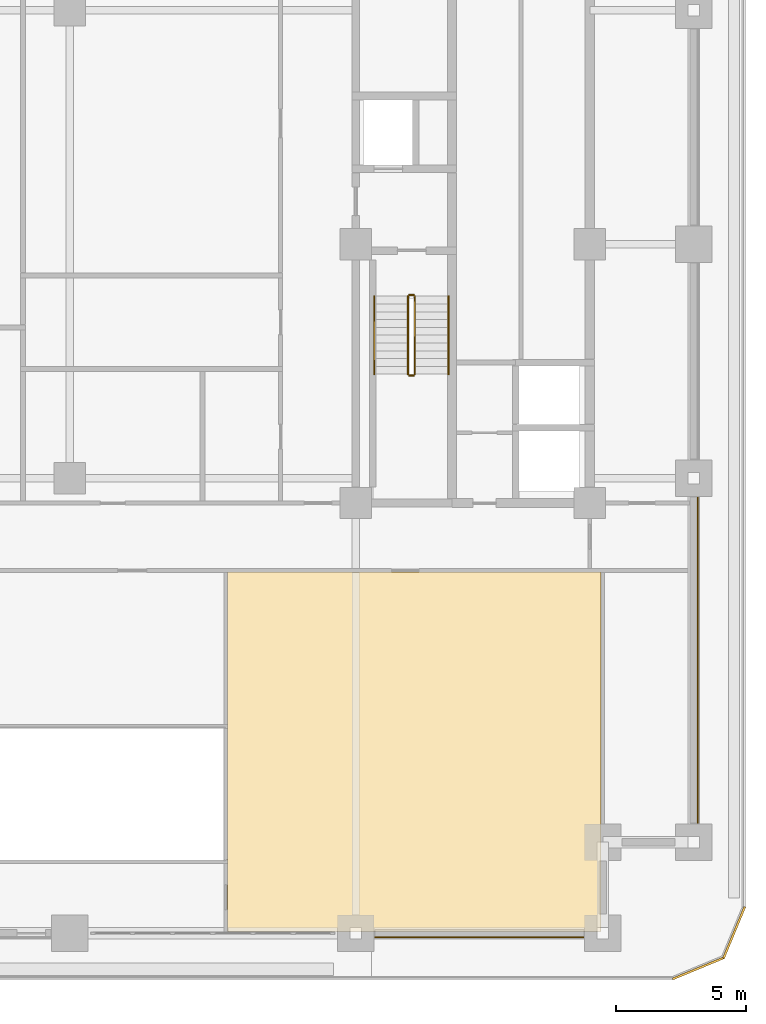
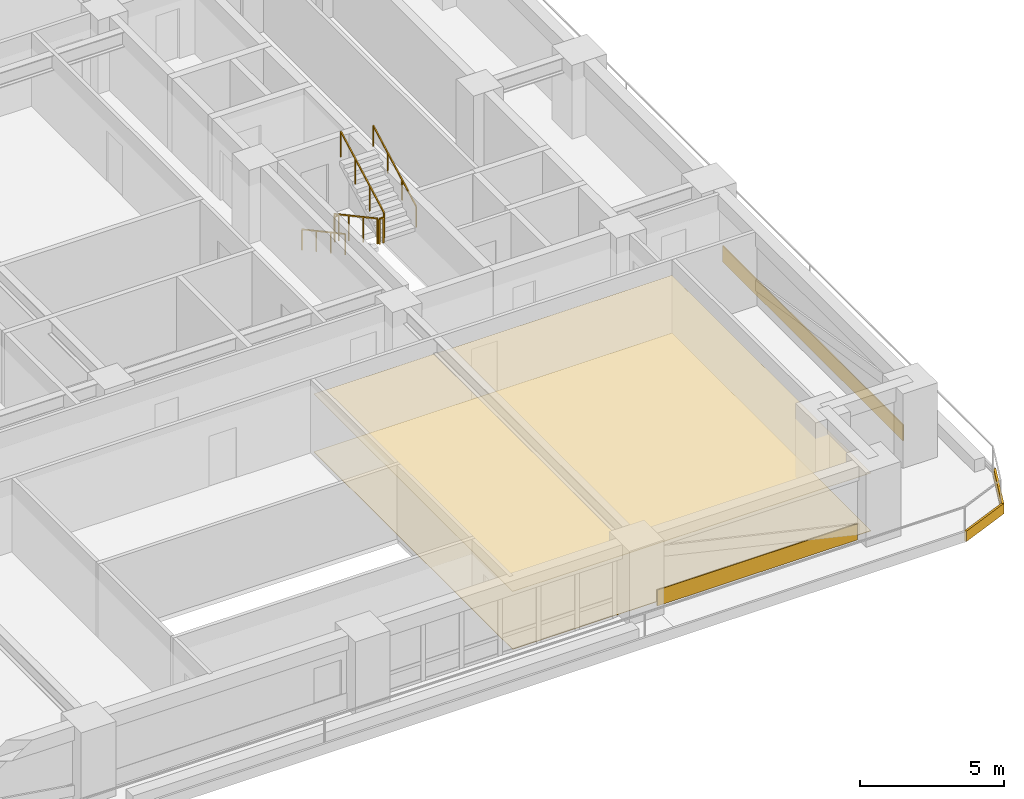
# One storey, part 17 of 18: 6 coverings, 6 railings.
"""IFC4 building model written with IfcOpenShell, lengths in metres."""

import ifcopenshell
import ifcopenshell.guid

model = None  # the IFC model being written
_history = None  # IfcOwnerHistory: only IFC2X3 demands one
_inside = {}  # id of a spatial element -> (the spatial element, [elements in it])
_under = {}  # id of a project, library or spatial element -> (it, [spatial elements below it])
_declared = {}  # id of a project -> (the project, [libraries it declares])
_typed = {}  # id of a type object -> (the type object, [elements of that type])
_made_of = {}  # id of a material, layer set ... -> (it, [elements and type objects made of it])


def new_model(schema):
    """Start an empty IFC model of exactly this schema.

    Asked for "IFC4X3", IfcOpenShell would pick the latest addendum, in which some entities
    have other attributes; the version numbers below select the first issue.
    IFC2X3 requires an IfcOwnerHistory on every rooted entity: one is made here for all.
    """
    global model, _history
    if schema == "IFC4X3":
        model = ifcopenshell.file(schema_version=(4, 3, 0, 0))
    else:
        model = ifcopenshell.file(schema=schema)
    _inside.clear()
    _under.clear()
    _declared.clear()
    _typed.clear()
    _made_of.clear()
    _history = None
    if model.schema == "IFC2X3":
        org = make("IfcOrganization", Name="unknown")
        user = make(
            "IfcPersonAndOrganization",
            ThePerson=make("IfcPerson", FamilyName="unknown"),
            TheOrganization=org,
        )
        app = make(
            "IfcApplication",
            ApplicationDeveloper=org,
            Version="unknown",
            ApplicationFullName="unknown",
            ApplicationIdentifier="unknown",
        )
        _history = make(
            "IfcOwnerHistory",
            OwningUser=user,
            OwningApplication=app,
            ChangeAction="ADDED",
            CreationDate=0,
        )
    return model


def make(cls, **values):
    """One entity of the class cls with the attributes given. An attribute that is None is left unset."""
    return model.create_entity(
        cls, **{name: value for name, value in values.items() if value is not None}
    )


def rooted(cls, **values):
    """An entity with a GlobalId (a new one), such as an element, a storey or a relation."""
    return make(cls, GlobalId=ifcopenshell.guid.new(), OwnerHistory=_history, **values)


def si_unit(unit_type, name, prefix=None):
    """IfcSIUnit, for example si_unit("LENGTHUNIT", "METRE", prefix="MILLI")."""
    return make("IfcSIUnit", UnitType=unit_type, Prefix=prefix, Name=name)


def assignment(units):
    """IfcUnitAssignment: the units of a project."""
    return None if units is None else make("IfcUnitAssignment", Units=units)


def point(xyz):
    """IfcCartesianPoint."""
    return None if xyz is None else make("IfcCartesianPoint", Coordinates=xyz)


def direction(xyz):
    """IfcDirection."""
    return None if xyz is None else make("IfcDirection", DirectionRatios=xyz)


def frame(location, z_axis=None, x_axis=None):
    """IfcAxis2Placement3D, a coordinate frame: its origin and axes. An axis left out is left unset."""
    return make(
        "IfcAxis2Placement3D",
        Location=point(location),
        Axis=direction(z_axis),
        RefDirection=direction(x_axis),
    )


def frame_2d(location, x_axis=None):
    """IfcAxis2Placement2D, a coordinate frame in the plane: its origin and x axis."""
    return make(
        "IfcAxis2Placement2D", Location=point(location), RefDirection=direction(x_axis)
    )


def origin():
    """The frame at (0, 0, 0) with its axes left unset."""
    return frame((0.0, 0.0, 0.0))


def origin_2d():
    """The frame at (0, 0) in the plane with its x axis left unset."""
    return frame_2d((0.0, 0.0))


def place(relative_to, where):
    """IfcLocalPlacement: puts the frame where relative to a parent placement (None: the world)."""
    return make(
        "IfcLocalPlacement", PlacementRelTo=relative_to, RelativePlacement=where
    )


def context(
    kind, dimensions, precision=None, world=None, true_north=None, identifier=None
):
    """IfcGeometricRepresentationContext, for example the 3D "Model" context."""
    return make(
        "IfcGeometricRepresentationContext",
        ContextIdentifier=identifier,
        ContextType=kind,
        CoordinateSpaceDimension=dimensions,
        Precision=precision,
        WorldCoordinateSystem=world,
        TrueNorth=true_north,
    )


def subcontext(parent, identifier, kind, view, scale=None):
    """IfcGeometricRepresentationSubContext, for example "Body" below "Model"."""
    return make(
        "IfcGeometricRepresentationSubContext",
        ContextIdentifier=identifier,
        ContextType=kind,
        ParentContext=parent,
        TargetScale=scale,
        TargetView=view,
    )


def project(units=None, contexts=None):
    """IfcProject with its units and contexts."""
    return rooted(
        "IfcProject",
        Name="project",
        RepresentationContexts=contexts,
        UnitsInContext=assignment(units),
    )


def spatial(cls, under=None, at=None, **own):
    """A site, building, storey or space (cls), placed at a placement, below another one or the project."""
    s = rooted(cls, ObjectPlacement=at, **own)
    if under is not None:
        _under.setdefault(under.id(), (under, []))[1].append(s)
    return s


def polyline(points):
    """IfcPolyline through the points."""
    return make("IfcPolyline", Points=[point(p) for p in points])


def profile(cls, at=None, kind="AREA", **sizes):
    """A parametric profile (cls). Its sizes go by their IFC names, for example OverallWidth=200.0."""
    return make(cls, ProfileType=kind, Position=at, **sizes)


def rectangle(**sizes):
    """IfcRectangleProfileDef."""
    return profile("IfcRectangleProfileDef", **sizes)


def outline(outer, holes=None, kind="AREA"):
    """IfcArbitraryClosedProfileDef: a profile drawn as a closed curve; with holes, ...WithVoids."""
    if holes is None:
        return make("IfcArbitraryClosedProfileDef", ProfileType=kind, OuterCurve=outer)
    return make(
        "IfcArbitraryProfileDefWithVoids",
        ProfileType=kind,
        OuterCurve=outer,
        InnerCurves=holes,
    )


def extrude(swept, where, along, depth):
    """IfcExtrudedAreaSolid: the profile swept, set in the frame where, extruded along a direction by depth."""
    return make(
        "IfcExtrudedAreaSolid",
        SweptArea=swept,
        Position=where,
        ExtrudedDirection=direction(along),
        Depth=depth,
    )


def shape(context_of_items, identifier, shape_type, items):
    """IfcShapeRepresentation: the items that make up one representation, for example the "Body"."""
    return make(
        "IfcShapeRepresentation",
        ContextOfItems=context_of_items,
        RepresentationIdentifier=identifier,
        RepresentationType=shape_type,
        Items=items,
    )


def material(Name=None, Category=None):
    """IfcMaterial."""
    return make("IfcMaterial", Name=Name, Category=Category)


def layer(
    of_material, thickness, ventilated=None, Name=None, Category=None, Priority=None
):
    """IfcMaterialLayer: one layer of a wall or slab, of a material (None: an air gap)."""
    return make(
        "IfcMaterialLayer",
        Material=of_material,
        LayerThickness=thickness,
        IsVentilated=ventilated,
        Name=Name,
        Category=Category,
        Priority=Priority,
    )


def layer_set(layers, Name=None):
    """IfcMaterialLayerSet."""
    return make("IfcMaterialLayerSet", MaterialLayers=layers, LayerSetName=Name)


def made_of(thing, what):
    """Note that an element or type object is made of a material, layer set ...; save() writes the relation."""
    if what is not None:
        _made_of.setdefault(what.id(), (what, []))[1].append(thing)
    return thing


def type_object(cls, material=None, **own):
    """A type object (cls), such as IfcWallType, which elements share."""
    return made_of(rooted(cls, **own), material)


def element(
    cls,
    number,
    at=None,
    inside=None,
    cuts=None,
    type_object=None,
    material=None,
    context=None,
    identifier="Body",
    shape_type=None,
    held_by="IfcProductDefinitionShape",
    body=None,
    shapes=None,
    **own,
):
    """One element of the class cls, such as IfcWall. Its Tag is "e" and its number.

    at: its placement. inside: the storey or other place that contains it. cuts: it is an
    opening in that element (IfcRelVoidsElement). A single representation is given by context,
    identifier, shape_type and body (its items); several are given by shapes. held_by: the class
    of the entity that holds the representations. save() writes the other relations.
    """
    e = rooted(cls, Tag="e%d" % number, ObjectPlacement=at, **own)
    if body is not None:
        shapes = [shape(context, identifier, shape_type, body)]
    if shapes is not None:
        e.Representation = make(held_by, Representations=shapes)
    if inside is not None:
        _inside.setdefault(inside.id(), (inside, []))[1].append(e)
    if cuts is not None:
        rooted(
            "IfcRelVoidsElement", RelatingBuildingElement=cuts, RelatedOpeningElement=e
        )
    if type_object is not None:
        _typed.setdefault(type_object.id(), (type_object, []))[1].append(e)
    return made_of(e, material)


def aggregate(whole, parts):
    """IfcRelAggregates: a whole, such as a stair, and the parts it consists of."""
    return rooted("IfcRelAggregates", RelatingObject=whole, RelatedObjects=parts)


def save(model, path):
    """Write the relations noted so far, then the file.

    IfcRelAggregates (storeys below a building ...), IfcRelContainedInSpatialStructure (elements
    in a storey), IfcRelDefinesByType, IfcRelAssociatesMaterial and IfcRelDeclares: one each for
    every whole, place, type object, material and project.
    """
    for whole, parts in _under.values():
        aggregate(whole, parts)
    for where, things in _inside.values():
        rooted(
            "IfcRelContainedInSpatialStructure",
            RelatedElements=things,
            RelatingStructure=where,
        )
    for kind, things in _typed.values():
        rooted("IfcRelDefinesByType", RelatedObjects=things, RelatingType=kind)
    for what, things in _made_of.values():
        rooted("IfcRelAssociatesMaterial", RelatedObjects=things, RelatingMaterial=what)
    for by, libraries in _declared.values():
        rooted("IfcRelDeclares", RelatingContext=by, RelatedDefinitions=libraries)
    model.write(path)


model = new_model("IFC4")

# Units and contexts
model_context = context("Model", 3, precision=1e-05, world=origin(), true_north=direction((0.0, 1.0)))
body_context = subcontext(model_context, "Body", "Model", "MODEL_VIEW")
ifc_project = project(units=[si_unit("LENGTHUNIT", "METRE"), si_unit("AREAUNIT", "SQUARE_METRE"), si_unit("VOLUMEUNIT", "CUBIC_METRE"), si_unit("PLANEANGLEUNIT", "RADIAN"), si_unit("MASSUNIT", "GRAM", prefix="KILO")], contexts=[model_context])

# Site, building, storey
site_placement = place(None, origin())
site = spatial("IfcSite", under=ifc_project, at=site_placement, CompositionType="ELEMENT")
building_placement = place(site_placement, origin())
building = spatial("IfcBuilding", under=site, at=building_placement, Name="Zulmaris Gate Convention Tower", CompositionType="ELEMENT")
storey_placement = place(building_placement, frame((0.0, 0.0, 78.60986328125)))
storey = spatial("IfcBuildingStorey", under=building, at=storey_placement, Name="L19", CompositionType="ELEMENT", Elevation=78.60986328125)

# Coverings
ifc_material_1 = material(Name="Precast concrete C40/50", Category="concrete")
ifc_layer_1 = layer(ifc_material_1, 0.0400390625, Name="Precast concrete C40/50")
ifc_layer_set_1 = layer_set([ifc_layer_1], Name="Precast concrete C40/50")
covering_type_1 = type_object("IfcCoveringType", Name="CLAD-SPANDREL-PRECAST", PredefinedType="CLADDING", material=ifc_layer_set_1)
covering_1_placement = place(storey_placement, frame((11.72998046875, -26.64990234375, 0.0), z_axis=(0.0, 0.0, 1.0), x_axis=(1.0, 0.0, 0.0)))
element("IfcCovering", 1, at=covering_1_placement, inside=storey, type_object=covering_type_1, Name="CLD-L19-S-3_0", PredefinedType="CLADDING", context=body_context, shape_type="SweptSolid", body=[
    extrude(rectangle(XDim=8.0400390625, YDim=0.0400390625, at=frame_2d((4.02001953125, 0.0))), origin(), (0.0, 0.0, 1.0), 0.679931640625),
])
covering_2_placement = place(storey_placement, frame((24.14990234375, -22.27001953125, 0.0), z_axis=(0.0, 0.0, 1.0), x_axis=(0.0, 1.0, 0.0)))
element("IfcCovering", 2, at=covering_2_placement, inside=storey, type_object=covering_type_1, Name="CLD-L19-E-0_0", PredefinedType="CLADDING", context=body_context, shape_type="SweptSolid", body=[
    extrude(rectangle(XDim=12.5400390625, YDim=0.0400390625, at=frame_2d((6.27001953125, 0.0))), origin(), (0.0, 0.0, 1.0), 0.679931640625),
])
ifc_material_2 = material(Name="White Glazed Architectural Precast Concrete C40/50", Category="concrete")
ifc_layer_2 = layer(ifc_material_2, 0.080078125, Name="White Glazed Architectural Precast Concrete C40/50")
ifc_layer_set_2 = layer_set([ifc_layer_2], Name="White Glazed Architectural Precast Concrete C40/50")
covering_type_2 = type_object("IfcCoveringType", Name="CLAD-TRAY-FASCIA", PredefinedType="CLADDING", material=ifc_layer_set_2)
covering_3_placement = place(storey_placement, frame((23.184814453125, -28.262939453125, -0.2900390625), z_axis=(0.0, 0.0, 1.0), x_axis=(0.923873803533, 0.382697263049, 0.0)))
element("IfcCovering", 3, at=covering_3_placement, inside=storey, type_object=covering_type_2, Name="FSC-L19-TR-03", PredefinedType="CLADDING", context=body_context, shape_type="SweptSolid", body=[
    extrude(rectangle(XDim=2.142822265625, YDim=0.080078125, at=frame_2d((1.0712890625, 0.0))), origin(), (0.0, 0.0, 1.0), 0.440185546875),
])
covering_4_placement = place(storey_placement, frame((25.142822265625, -27.464599609375, -0.2900390625), z_axis=(0.0, 0.0, 1.0), x_axis=(0.382656984709, 0.923890487046, 0.0)))
element("IfcCovering", 4, at=covering_4_placement, inside=storey, type_object=covering_type_2, Name="FSC-L19-TR-04", PredefinedType="CLADDING", context=body_context, shape_type="SweptSolid", body=[
    extrude(rectangle(XDim=2.14306640625, YDim=0.080078125, at=frame_2d((1.071533203125, 0.0))), origin(), (0.0, 0.0, 1.0), 0.440185546875),
])
ifc_material_3 = material(Name="Mineral Fibre Acoustic Ceiling Tile")
ifc_layer_3 = layer(ifc_material_3, 0.02001953125, Name="Mineral Fibre Acoustic Ceiling Tile")
ifc_layer_set_3 = layer_set([ifc_layer_3], Name="Mineral Fibre Acoustic Ceiling Tile")
covering_type_3 = type_object("IfcCoveringType", Name="CLG-ACOUSTIC-600", PredefinedType="CEILING", material=ifc_layer_set_3)
covering_5_placement = place(storey_placement, frame((0.0, 0.0, 2.453125)))
element("IfcCovering", 5, at=covering_5_placement, inside=storey, type_object=covering_type_3, Name="CLG-L19-R38", PredefinedType="CEILING", context=body_context, shape_type="SweptSolid", body=[
    extrude(outline(polyline([(6.06005859375, -26.43994140625), (20.43994140625, -26.43994140625), (20.43994140625, -12.610107421875), (6.06005859375, -12.610107421875), (6.06005859375, -26.43994140625)])), origin(), (0.0, 0.0, 1.0), 0.02001953125),
])
ifc_material_4 = material(Name="Woven Acoustic Wool Carpet Tile")
ifc_layer_4 = layer(ifc_material_4, 0.02001953125, Name="Woven Acoustic Wool Carpet Tile")
ifc_layer_set_4 = layer_set([ifc_layer_4], Name="Woven Acoustic Wool Carpet Tile")
covering_type_4 = type_object("IfcCoveringType", Name="FLR-CARPET-12", PredefinedType="FLOORING", material=ifc_layer_set_4)
covering_6_placement = place(storey_placement, origin())
element("IfcCovering", 6, at=covering_6_placement, inside=storey, type_object=covering_type_4, Name="FLR-L19-R38", PredefinedType="FLOORING", context=body_context, shape_type="SweptSolid", body=[
    extrude(outline(polyline([(6.06005859375, -26.43994140625), (20.43994140625, -26.43994140625), (20.43994140625, -12.610107421875), (6.06005859375, -12.610107421875), (6.06005859375, -26.43994140625)])), origin(), (0.0, 0.0, 1.0), 0.02001953125),
])

# Railings
ifc_material_5 = material(Name="Painted Galvanised Steel", Category="steel")
railing_type_1 = type_object("IfcRailingType", Name="RL-STG-1150", PredefinedType="GUARDRAIL", material=ifc_material_5)
railing_1_placement = place(storey_placement, frame((13.010009765625, -2.0, 0.162353515625)))
element("IfcRailing", 7, at=railing_1_placement, inside=storey, type_object=railing_type_1, Name="L19 ST-2 stair guard 1", PredefinedType="GUARDRAIL", context=body_context, shape_type="SweptSolid", body=[
    extrude(rectangle(XDim=0.048095703125, YDim=0.048095703125, at=origin_2d()), frame((0.0, 0.0, 1.076171875), z_axis=(0.0, -0.8795616155, 0.475784998228), x_axis=(1.0, 0.0, 0.0)), (0.0, 0.0, 1.0), 3.410888671875),
    extrude(rectangle(XDim=0.0419921875, YDim=0.0419921875, at=origin_2d()), origin(), (0.0, 0.0, 1.0), 1.052001953125),
    extrude(rectangle(XDim=0.0419921875, YDim=0.0419921875, at=origin_2d()), frame((0.0, -1.0, 0.541015625)), (0.0, 0.0, 1.0), 1.052001953125),
    extrude(rectangle(XDim=0.0419921875, YDim=0.0419921875, at=origin_2d()), frame((0.0, -2.0, 1.081787109375)), (0.0, 0.0, 1.0), 1.052001953125),
    extrude(rectangle(XDim=0.0419921875, YDim=0.0419921875, at=origin_2d()), frame((0.0, -3.0, 1.622802734375)), (0.0, 0.0, 1.0), 1.052001953125),
])
railing_2_placement = place(storey_placement, frame((13.06005859375, -5.050048828125, 1.78515625)))
element("IfcRailing", 8, at=railing_2_placement, inside=storey, type_object=railing_type_1, Name="L19 ST-2 stair guard 2", PredefinedType="GUARDRAIL", context=body_context, shape_type="SweptSolid", body=[
    extrude(rectangle(XDim=0.048095703125, YDim=0.048095703125, at=origin_2d()), frame((0.0, 0.0, 1.076171875), z_axis=(1.0, 0.0, 0.0), x_axis=(0.0, 1.0, 0.0)), (0.0, 0.0, 1.0), 0.159912109375),
    extrude(rectangle(XDim=0.0419921875, YDim=0.0419921875, at=origin_2d()), origin(), (0.0, 0.0, 1.0), 1.052001953125),
    extrude(rectangle(XDim=0.0419921875, YDim=0.0419921875, at=origin_2d()), frame((0.159912109375, 0.0, 0.0)), (0.0, 0.0, 1.0), 1.052001953125),
])
railing_3_placement = place(storey_placement, frame((13.27001953125, -5.0, 1.947265625)))
element("IfcRailing", 9, at=railing_3_placement, inside=storey, type_object=railing_type_1, Name="L19 ST-2 stair guard 3", PredefinedType="GUARDRAIL", context=body_context, shape_type="SweptSolid", body=[
    extrude(rectangle(XDim=0.048095703125, YDim=0.048095703125, at=origin_2d()), frame((0.0, 0.0, 1.076171875), z_axis=(0.0, 0.8795616155, 0.475784998228), x_axis=(-1.0, 0.0, 0.0)), (0.0, 0.0, 1.0), 3.410888671875),
    extrude(rectangle(XDim=0.0419921875, YDim=0.0419921875, at=origin_2d()), origin(), (0.0, 0.0, 1.0), 1.052001953125),
    extrude(rectangle(XDim=0.0419921875, YDim=0.0419921875, at=origin_2d()), frame((0.0, 1.0, 0.541015625)), (0.0, 0.0, 1.0), 1.052001953125),
    extrude(rectangle(XDim=0.0419921875, YDim=0.0419921875, at=origin_2d()), frame((0.0, 2.0, 1.081787109375)), (0.0, 0.0, 1.0), 1.052001953125),
    extrude(rectangle(XDim=0.0419921875, YDim=0.0419921875, at=origin_2d()), frame((0.0, 3.0, 1.622802734375)), (0.0, 0.0, 1.0), 1.052001953125),
])
railing_4_placement = place(storey_placement, frame((13.06005859375, -1.949951171875, 0.0)))
element("IfcRailing", 10, at=railing_4_placement, inside=storey, type_object=railing_type_1, Name="L19 ST-2 stair guard 4", PredefinedType="GUARDRAIL", context=body_context, shape_type="SweptSolid", body=[
    extrude(rectangle(XDim=0.048095703125, YDim=0.048095703125, at=origin_2d()), frame((0.0, 0.0, 1.076171875), z_axis=(1.0, 0.0, 0.0), x_axis=(0.0, 1.0, 0.0)), (0.0, 0.0, 1.0), 0.159912109375),
    extrude(rectangle(XDim=0.0419921875, YDim=0.0419921875, at=origin_2d()), origin(), (0.0, 0.0, 1.0), 1.052001953125),
    extrude(rectangle(XDim=0.0419921875, YDim=0.0419921875, at=origin_2d()), frame((0.159912109375, 0.0, 0.0)), (0.0, 0.0, 1.0), 1.052001953125),
])
ifc_material_6 = material(Name="Brushed Stainless Steel", Category="steel")
railing_type_2 = type_object("IfcRailingType", Name="RL-STH-900", PredefinedType="HANDRAIL", material=ifc_material_6)
railing_5_placement = place(storey_placement, frame((11.7099609375, -2.0, 0.162353515625)))
element("IfcRailing", 11, at=railing_5_placement, inside=storey, type_object=railing_type_2, Name="L19 ST-2 stair handrail 1", PredefinedType="HANDRAIL", context=body_context, shape_type="SweptSolid", body=[
    extrude(rectangle(XDim=0.048095703125, YDim=0.048095703125, at=origin_2d()), frame((0.0, 0.0, 0.8759765625), z_axis=(0.0, -0.8795616155, 0.475784998228), x_axis=(1.0, 0.0, 0.0)), (0.0, 0.0, 1.0), 3.410888671875),
    extrude(rectangle(XDim=0.0419921875, YDim=0.0419921875, at=origin_2d()), origin(), (0.0, 0.0, 1.0), 0.851806640625),
    extrude(rectangle(XDim=0.0419921875, YDim=0.0419921875, at=origin_2d()), frame((0.0, -1.0, 0.541015625)), (0.0, 0.0, 1.0), 0.851806640625),
    extrude(rectangle(XDim=0.0419921875, YDim=0.0419921875, at=origin_2d()), frame((0.0, -2.0, 1.081787109375)), (0.0, 0.0, 1.0), 0.851806640625),
    extrude(rectangle(XDim=0.0419921875, YDim=0.0419921875, at=origin_2d()), frame((0.0, -3.0, 1.622802734375)), (0.0, 0.0, 1.0), 0.851806640625),
])
railing_6_placement = place(storey_placement, frame((14.570068359375, -5.0, 1.947265625)))
element("IfcRailing", 12, at=railing_6_placement, inside=storey, type_object=railing_type_2, Name="L19 ST-2 stair handrail 2", PredefinedType="HANDRAIL", context=body_context, shape_type="SweptSolid", body=[
    extrude(rectangle(XDim=0.048095703125, YDim=0.048095703125, at=origin_2d()), frame((0.0, 0.0, 0.8759765625), z_axis=(0.0, 0.8795616155, 0.475784998228), x_axis=(-1.0, 0.0, 0.0)), (0.0, 0.0, 1.0), 3.410888671875),
    extrude(rectangle(XDim=0.0419921875, YDim=0.0419921875, at=origin_2d()), origin(), (0.0, 0.0, 1.0), 0.851806640625),
    extrude(rectangle(XDim=0.0419921875, YDim=0.0419921875, at=origin_2d()), frame((0.0, 1.0, 0.541015625)), (0.0, 0.0, 1.0), 0.851806640625),
    extrude(rectangle(XDim=0.0419921875, YDim=0.0419921875, at=origin_2d()), frame((0.0, 2.0, 1.081787109375)), (0.0, 0.0, 1.0), 0.851806640625),
    extrude(rectangle(XDim=0.0419921875, YDim=0.0419921875, at=origin_2d()), frame((0.0, 3.0, 1.622802734375)), (0.0, 0.0, 1.0), 0.851806640625),
])

save(model, "model.ifc")
